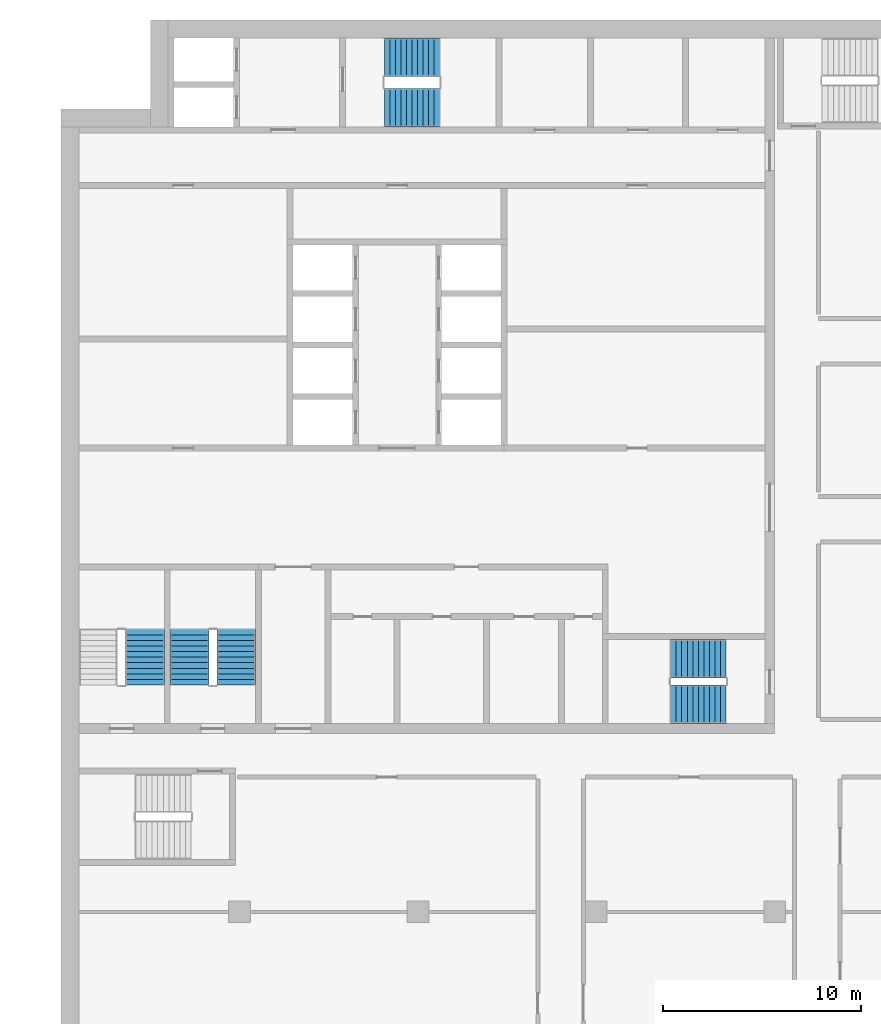
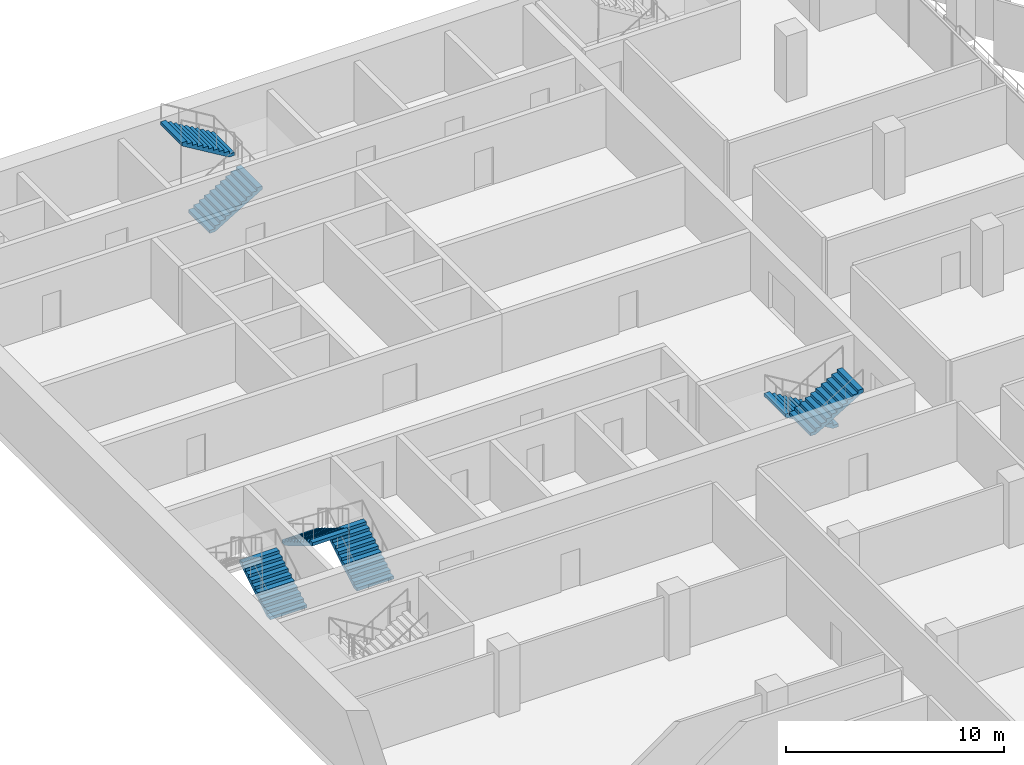
# One storey, part 12 of 17: 7 stair flights, 4 elements without a shape of their own.
"""IFC4 building model written with IfcOpenShell, lengths in metres."""

from ifc_helpers import new_model, si_unit, direction, frame, origin, place, context, subcontext, project, spatial, polyline, outline, extrude, material, type_object, element, aggregate, save


model = new_model("IFC4")

# Units and contexts
model_context = context("Model", 3, precision=1e-05, world=origin(), true_north=direction((0.0, 1.0)))
body_context = subcontext(model_context, "Body", "Model", "MODEL_VIEW")
ifc_project = project(units=[si_unit("LENGTHUNIT", "METRE"), si_unit("AREAUNIT", "SQUARE_METRE"), si_unit("VOLUMEUNIT", "CUBIC_METRE"), si_unit("PLANEANGLEUNIT", "RADIAN"), si_unit("MASSUNIT", "GRAM", prefix="KILO")], contexts=[model_context])

# Site, building, storey
site_placement = place(None, origin())
site = spatial("IfcSite", under=ifc_project, at=site_placement, CompositionType="ELEMENT")
building_placement = place(site_placement, origin())
building = spatial("IfcBuilding", under=site, at=building_placement, Name="Hunhe Ridgeline Campus", CompositionType="ELEMENT")
storey_placement = place(building_placement, frame((0.0, 0.0, 193.89990234375)))
storey = spatial("IfcBuildingStorey", under=building, at=storey_placement, Name="L49", CompositionType="ELEMENT", Elevation=193.89990234375)

# Stair, stair flights
ifc_material = material(Name="Concrete C40", Category="concrete")
stair_type = type_object("IfcStairType", Name="Reinforced concrete dog-leg stair 1950 Concrete C40", PredefinedType="HALF_TURN_STAIR", material=ifc_material)
stair_1_placement = place(storey_placement, origin())
stair_1 = element("IfcStair", 1, at=stair_1_placement, inside=storey, type_object=stair_type, Name="L49 S1", PredefinedType="HALF_TURN_STAIR")
stair_flight_type = type_object("IfcStairFlightType", Name="Reinforced concrete stair flight 1950 Concrete C40", PredefinedType="STRAIGHT", material=ifc_material)
stair_flight_1_placement = place(storey_placement, frame((16.300048828125, 94.574951171875, 0.0), z_axis=(0.0, 0.0, 1.0), x_axis=(1.0, 0.0, 0.0)))
stair_flight_1 = element("IfcStairFlight", 2, at=stair_flight_1_placement, type_object=stair_flight_type, Name="ST1 flight 1", NumberOfRisers=11, NumberOfTreads=10, PredefinedType="STRAIGHT", RiserHeight=0.168181818, TreadLength=0.28, context=body_context, shape_type="SweptSolid", body=[
    extrude(outline(polyline([(0.0, 0.0), (0.0, 0.168212890625), (0.280029296875, 0.168212890625), (0.280029296875, 0.33642578125), (0.56005859375, 0.33642578125), (0.56005859375, 0.504638671875), (0.840087890625, 0.504638671875), (0.840087890625, 0.672607421875), (1.1201171875, 0.672607421875), (1.1201171875, 0.8408203125), (1.39990234375, 0.8408203125), (1.39990234375, 1.009033203125), (1.679931640625, 1.009033203125), (1.679931640625, 1.17724609375), (1.9599609375, 1.17724609375), (1.9599609375, 1.345458984375), (2.239990234375, 1.345458984375), (2.239990234375, 1.513671875), (2.52001953125, 1.513671875), (2.52001953125, 1.681884765625), (2.800048828125, 1.681884765625), (2.800048828125, 1.85009765625), (2.800048828125, 1.5068359375), (0.291015625, 0.0), (0.0, 0.0)])), frame((0.0, 0.97509765625, 0.0), z_axis=(0.0, -1.0, 0.0), x_axis=(1.0, 0.0, 0.0)), (0.0, 0.0, 1.0), 1.949951171875),
    extrude(outline(polyline([(0.030029296875, 0.030029296875), (0.030029296875, 0.13818359375), (0.31005859375, 0.13818359375), (0.31005859375, 0.306396484375), (0.590087890625, 0.306396484375), (0.590087890625, 0.474609375), (0.8701171875, 0.474609375), (0.8701171875, 0.642578125), (1.14990234375, 0.642578125), (1.14990234375, 0.810791015625), (1.429931640625, 0.810791015625), (1.429931640625, 0.97900390625), (1.7099609375, 0.97900390625), (1.7099609375, 1.147216796875), (1.989990234375, 1.147216796875), (1.989990234375, 1.3154296875), (2.27001953125, 1.3154296875), (2.27001953125, 1.483642578125), (2.550048828125, 1.483642578125), (2.550048828125, 1.65185546875), (2.77001953125, 1.65185546875), (2.77001953125, 1.52392578125), (0.28271484375, 0.030029296875), (0.030029296875, 0.030029296875)])), frame((0.0, -0.070068359375, 0.0), z_axis=(0.0, -1.0, 0.0), x_axis=(1.0, 0.0, 0.0)), (0.0, 0.0, 1.0), 0.019775390625),
    extrude(outline(polyline([(0.030029296875, 0.030029296875), (0.030029296875, 0.13818359375), (0.31005859375, 0.13818359375), (0.31005859375, 0.306396484375), (0.590087890625, 0.306396484375), (0.590087890625, 0.474609375), (0.8701171875, 0.474609375), (0.8701171875, 0.642578125), (1.14990234375, 0.642578125), (1.14990234375, 0.810791015625), (1.429931640625, 0.810791015625), (1.429931640625, 0.97900390625), (1.7099609375, 0.97900390625), (1.7099609375, 1.147216796875), (1.989990234375, 1.147216796875), (1.989990234375, 1.3154296875), (2.27001953125, 1.3154296875), (2.27001953125, 1.483642578125), (2.550048828125, 1.483642578125), (2.550048828125, 1.65185546875), (2.77001953125, 1.65185546875), (2.77001953125, 1.52392578125), (0.28271484375, 0.030029296875), (0.030029296875, 0.030029296875)])), frame((0.0, 0.010009765625, 0.0), z_axis=(0.0, -1.0, 0.0), x_axis=(1.0, 0.0, 0.0)), (0.0, 0.0, 1.0), 0.019775390625),
    extrude(outline(polyline([(0.030029296875, 0.030029296875), (0.030029296875, 0.13818359375), (0.31005859375, 0.13818359375), (0.31005859375, 0.306396484375), (0.590087890625, 0.306396484375), (0.590087890625, 0.474609375), (0.8701171875, 0.474609375), (0.8701171875, 0.642578125), (1.14990234375, 0.642578125), (1.14990234375, 0.810791015625), (1.429931640625, 0.810791015625), (1.429931640625, 0.97900390625), (1.7099609375, 0.97900390625), (1.7099609375, 1.147216796875), (1.989990234375, 1.147216796875), (1.989990234375, 1.3154296875), (2.27001953125, 1.3154296875), (2.27001953125, 1.483642578125), (2.550048828125, 1.483642578125), (2.550048828125, 1.65185546875), (2.77001953125, 1.65185546875), (2.77001953125, 1.52392578125), (0.28271484375, 0.030029296875), (0.030029296875, 0.030029296875)])), frame((0.0, 0.090087890625, 0.0), z_axis=(0.0, -1.0, 0.0), x_axis=(1.0, 0.0, 0.0)), (0.0, 0.0, 1.0), 0.019775390625),
])
stair_flight_2_placement = place(storey_placement, frame((19.10009765625, 97.125, 1.85009765625), z_axis=(0.0, 0.0, 1.0), x_axis=(-1.0, 0.0, 0.0)))
stair_flight_2 = element("IfcStairFlight", 3, at=stair_flight_2_placement, type_object=stair_flight_type, Name="ST1 flight 2", NumberOfRisers=11, NumberOfTreads=10, PredefinedType="STRAIGHT", RiserHeight=0.168181818, TreadLength=0.28, context=body_context, shape_type="SweptSolid", body=[
    extrude(outline(polyline([(0.0, 0.0), (0.0, 0.168212890625), (0.280029296875, 0.168212890625), (0.280029296875, 0.33642578125), (0.56005859375, 0.33642578125), (0.56005859375, 0.504638671875), (0.840087890625, 0.504638671875), (0.840087890625, 0.672607421875), (1.1201171875, 0.672607421875), (1.1201171875, 0.8408203125), (1.39990234375, 0.8408203125), (1.39990234375, 1.009033203125), (1.679931640625, 1.009033203125), (1.679931640625, 1.17724609375), (1.9599609375, 1.17724609375), (1.9599609375, 1.345458984375), (2.239990234375, 1.345458984375), (2.239990234375, 1.513671875), (2.52001953125, 1.513671875), (2.52001953125, 1.681884765625), (2.800048828125, 1.681884765625), (2.800048828125, 1.85009765625), (2.800048828125, 1.5068359375), (0.291015625, 0.0), (0.0, 0.0)])), frame((0.0, 0.97509765625, 0.0), z_axis=(0.0, -1.0, 0.0), x_axis=(1.0, 0.0, 0.0)), (0.0, 0.0, 1.0), 1.949951171875),
    extrude(outline(polyline([(0.030029296875, 0.030029296875), (0.030029296875, 0.13818359375), (0.31005859375, 0.13818359375), (0.31005859375, 0.306396484375), (0.590087890625, 0.306396484375), (0.590087890625, 0.474609375), (0.8701171875, 0.474609375), (0.8701171875, 0.642578125), (1.14990234375, 0.642578125), (1.14990234375, 0.810791015625), (1.429931640625, 0.810791015625), (1.429931640625, 0.97900390625), (1.7099609375, 0.97900390625), (1.7099609375, 1.147216796875), (1.989990234375, 1.147216796875), (1.989990234375, 1.3154296875), (2.27001953125, 1.3154296875), (2.27001953125, 1.483642578125), (2.550048828125, 1.483642578125), (2.550048828125, 1.65185546875), (2.77001953125, 1.65185546875), (2.77001953125, 1.52392578125), (0.28271484375, 0.030029296875), (0.030029296875, 0.030029296875)])), frame((0.0, -0.070068359375, 0.0), z_axis=(0.0, -1.0, 0.0), x_axis=(1.0, 0.0, 0.0)), (0.0, 0.0, 1.0), 0.019775390625),
    extrude(outline(polyline([(0.030029296875, 0.030029296875), (0.030029296875, 0.13818359375), (0.31005859375, 0.13818359375), (0.31005859375, 0.306396484375), (0.590087890625, 0.306396484375), (0.590087890625, 0.474609375), (0.8701171875, 0.474609375), (0.8701171875, 0.642578125), (1.14990234375, 0.642578125), (1.14990234375, 0.810791015625), (1.429931640625, 0.810791015625), (1.429931640625, 0.97900390625), (1.7099609375, 0.97900390625), (1.7099609375, 1.147216796875), (1.989990234375, 1.147216796875), (1.989990234375, 1.3154296875), (2.27001953125, 1.3154296875), (2.27001953125, 1.483642578125), (2.550048828125, 1.483642578125), (2.550048828125, 1.65185546875), (2.77001953125, 1.65185546875), (2.77001953125, 1.52392578125), (0.28271484375, 0.030029296875), (0.030029296875, 0.030029296875)])), frame((0.0, 0.010009765625, 0.0), z_axis=(0.0, -1.0, 0.0), x_axis=(1.0, 0.0, 0.0)), (0.0, 0.0, 1.0), 0.019775390625),
    extrude(outline(polyline([(0.030029296875, 0.030029296875), (0.030029296875, 0.13818359375), (0.31005859375, 0.13818359375), (0.31005859375, 0.306396484375), (0.590087890625, 0.306396484375), (0.590087890625, 0.474609375), (0.8701171875, 0.474609375), (0.8701171875, 0.642578125), (1.14990234375, 0.642578125), (1.14990234375, 0.810791015625), (1.429931640625, 0.810791015625), (1.429931640625, 0.97900390625), (1.7099609375, 0.97900390625), (1.7099609375, 1.147216796875), (1.989990234375, 1.147216796875), (1.989990234375, 1.3154296875), (2.27001953125, 1.3154296875), (2.27001953125, 1.483642578125), (2.550048828125, 1.483642578125), (2.550048828125, 1.65185546875), (2.77001953125, 1.65185546875), (2.77001953125, 1.52392578125), (0.28271484375, 0.030029296875), (0.030029296875, 0.030029296875)])), frame((0.0, 0.090087890625, 0.0), z_axis=(0.0, -1.0, 0.0), x_axis=(1.0, 0.0, 0.0)), (0.0, 0.0, 1.0), 0.019775390625),
])
aggregate(stair_1, [stair_flight_1, stair_flight_2])

stair_2_placement = place(storey_placement, origin())
stair_2 = element("IfcStair", 4, at=stair_2_placement, inside=storey, type_object=stair_type, Name="L49 S2", PredefinedType="HALF_TURN_STAIR")
stair_flight_3_placement = place(storey_placement, frame((33.550048828125, 66.77490234375, 0.0), z_axis=(0.0, 0.0, 1.0), x_axis=(-1.0, 0.0, 0.0)))
stair_flight_3 = element("IfcStairFlight", 5, at=stair_flight_3_placement, type_object=stair_flight_type, Name="ST2 flight 1", NumberOfRisers=11, NumberOfTreads=10, PredefinedType="STRAIGHT", RiserHeight=0.168181818, TreadLength=0.28, context=body_context, shape_type="SweptSolid", body=[
    extrude(outline(polyline([(0.0, 0.0), (0.0, 0.168212890625), (0.280029296875, 0.168212890625), (0.280029296875, 0.33642578125), (0.56005859375, 0.33642578125), (0.56005859375, 0.504638671875), (0.840087890625, 0.504638671875), (0.840087890625, 0.672607421875), (1.1201171875, 0.672607421875), (1.1201171875, 0.8408203125), (1.39990234375, 0.8408203125), (1.39990234375, 1.009033203125), (1.679931640625, 1.009033203125), (1.679931640625, 1.17724609375), (1.9599609375, 1.17724609375), (1.9599609375, 1.345458984375), (2.239990234375, 1.345458984375), (2.239990234375, 1.513671875), (2.52001953125, 1.513671875), (2.52001953125, 1.681884765625), (2.800048828125, 1.681884765625), (2.800048828125, 1.85009765625), (2.800048828125, 1.5068359375), (0.291015625, 0.0), (0.0, 0.0)])), frame((0.0, 0.97509765625, 0.0), z_axis=(0.0, -1.0, 0.0), x_axis=(1.0, 0.0, 0.0)), (0.0, 0.0, 1.0), 1.949951171875),
    extrude(outline(polyline([(0.030029296875, 0.030029296875), (0.030029296875, 0.13818359375), (0.31005859375, 0.13818359375), (0.31005859375, 0.306396484375), (0.590087890625, 0.306396484375), (0.590087890625, 0.474609375), (0.8701171875, 0.474609375), (0.8701171875, 0.642578125), (1.14990234375, 0.642578125), (1.14990234375, 0.810791015625), (1.429931640625, 0.810791015625), (1.429931640625, 0.97900390625), (1.7099609375, 0.97900390625), (1.7099609375, 1.147216796875), (1.989990234375, 1.147216796875), (1.989990234375, 1.3154296875), (2.27001953125, 1.3154296875), (2.27001953125, 1.483642578125), (2.550048828125, 1.483642578125), (2.550048828125, 1.65185546875), (2.77001953125, 1.65185546875), (2.77001953125, 1.52392578125), (0.28271484375, 0.030029296875), (0.030029296875, 0.030029296875)])), frame((0.0, -0.070068359375, 0.0), z_axis=(0.0, -1.0, 0.0), x_axis=(1.0, 0.0, 0.0)), (0.0, 0.0, 1.0), 0.019775390625),
    extrude(outline(polyline([(0.030029296875, 0.030029296875), (0.030029296875, 0.13818359375), (0.31005859375, 0.13818359375), (0.31005859375, 0.306396484375), (0.590087890625, 0.306396484375), (0.590087890625, 0.474609375), (0.8701171875, 0.474609375), (0.8701171875, 0.642578125), (1.14990234375, 0.642578125), (1.14990234375, 0.810791015625), (1.429931640625, 0.810791015625), (1.429931640625, 0.97900390625), (1.7099609375, 0.97900390625), (1.7099609375, 1.147216796875), (1.989990234375, 1.147216796875), (1.989990234375, 1.3154296875), (2.27001953125, 1.3154296875), (2.27001953125, 1.483642578125), (2.550048828125, 1.483642578125), (2.550048828125, 1.65185546875), (2.77001953125, 1.65185546875), (2.77001953125, 1.52392578125), (0.28271484375, 0.030029296875), (0.030029296875, 0.030029296875)])), frame((0.0, 0.010009765625, 0.0), z_axis=(0.0, -1.0, 0.0), x_axis=(1.0, 0.0, 0.0)), (0.0, 0.0, 1.0), 0.019775390625),
    extrude(outline(polyline([(0.030029296875, 0.030029296875), (0.030029296875, 0.13818359375), (0.31005859375, 0.13818359375), (0.31005859375, 0.306396484375), (0.590087890625, 0.306396484375), (0.590087890625, 0.474609375), (0.8701171875, 0.474609375), (0.8701171875, 0.642578125), (1.14990234375, 0.642578125), (1.14990234375, 0.810791015625), (1.429931640625, 0.810791015625), (1.429931640625, 0.97900390625), (1.7099609375, 0.97900390625), (1.7099609375, 1.147216796875), (1.989990234375, 1.147216796875), (1.989990234375, 1.3154296875), (2.27001953125, 1.3154296875), (2.27001953125, 1.483642578125), (2.550048828125, 1.483642578125), (2.550048828125, 1.65185546875), (2.77001953125, 1.65185546875), (2.77001953125, 1.52392578125), (0.28271484375, 0.030029296875), (0.030029296875, 0.030029296875)])), frame((0.0, 0.090087890625, 0.0), z_axis=(0.0, -1.0, 0.0), x_axis=(1.0, 0.0, 0.0)), (0.0, 0.0, 1.0), 0.019775390625),
])
stair_flight_4_placement = place(storey_placement, frame((30.75, 64.47509765625, 1.85009765625), z_axis=(0.0, 0.0, 1.0), x_axis=(1.0, 0.0, 0.0)))
stair_flight_4 = element("IfcStairFlight", 6, at=stair_flight_4_placement, type_object=stair_flight_type, Name="ST2 flight 2", NumberOfRisers=11, NumberOfTreads=10, PredefinedType="STRAIGHT", RiserHeight=0.168181818, TreadLength=0.28, context=body_context, shape_type="SweptSolid", body=[
    extrude(outline(polyline([(0.0, 0.0), (0.0, 0.168212890625), (0.280029296875, 0.168212890625), (0.280029296875, 0.33642578125), (0.56005859375, 0.33642578125), (0.56005859375, 0.504638671875), (0.840087890625, 0.504638671875), (0.840087890625, 0.672607421875), (1.1201171875, 0.672607421875), (1.1201171875, 0.8408203125), (1.39990234375, 0.8408203125), (1.39990234375, 1.009033203125), (1.679931640625, 1.009033203125), (1.679931640625, 1.17724609375), (1.9599609375, 1.17724609375), (1.9599609375, 1.345458984375), (2.239990234375, 1.345458984375), (2.239990234375, 1.513671875), (2.52001953125, 1.513671875), (2.52001953125, 1.681884765625), (2.800048828125, 1.681884765625), (2.800048828125, 1.85009765625), (2.800048828125, 1.5068359375), (0.291015625, 0.0), (0.0, 0.0)])), frame((0.0, 0.97509765625, 0.0), z_axis=(0.0, -1.0, 0.0), x_axis=(1.0, 0.0, 0.0)), (0.0, 0.0, 1.0), 1.949951171875),
    extrude(outline(polyline([(0.030029296875, 0.030029296875), (0.030029296875, 0.13818359375), (0.31005859375, 0.13818359375), (0.31005859375, 0.306396484375), (0.590087890625, 0.306396484375), (0.590087890625, 0.474609375), (0.8701171875, 0.474609375), (0.8701171875, 0.642578125), (1.14990234375, 0.642578125), (1.14990234375, 0.810791015625), (1.429931640625, 0.810791015625), (1.429931640625, 0.97900390625), (1.7099609375, 0.97900390625), (1.7099609375, 1.147216796875), (1.989990234375, 1.147216796875), (1.989990234375, 1.3154296875), (2.27001953125, 1.3154296875), (2.27001953125, 1.483642578125), (2.550048828125, 1.483642578125), (2.550048828125, 1.65185546875), (2.77001953125, 1.65185546875), (2.77001953125, 1.52392578125), (0.28271484375, 0.030029296875), (0.030029296875, 0.030029296875)])), frame((0.0, -0.070068359375, 0.0), z_axis=(0.0, -1.0, 0.0), x_axis=(1.0, 0.0, 0.0)), (0.0, 0.0, 1.0), 0.019775390625),
    extrude(outline(polyline([(0.030029296875, 0.030029296875), (0.030029296875, 0.13818359375), (0.31005859375, 0.13818359375), (0.31005859375, 0.306396484375), (0.590087890625, 0.306396484375), (0.590087890625, 0.474609375), (0.8701171875, 0.474609375), (0.8701171875, 0.642578125), (1.14990234375, 0.642578125), (1.14990234375, 0.810791015625), (1.429931640625, 0.810791015625), (1.429931640625, 0.97900390625), (1.7099609375, 0.97900390625), (1.7099609375, 1.147216796875), (1.989990234375, 1.147216796875), (1.989990234375, 1.3154296875), (2.27001953125, 1.3154296875), (2.27001953125, 1.483642578125), (2.550048828125, 1.483642578125), (2.550048828125, 1.65185546875), (2.77001953125, 1.65185546875), (2.77001953125, 1.52392578125), (0.28271484375, 0.030029296875), (0.030029296875, 0.030029296875)])), frame((0.0, 0.010009765625, 0.0), z_axis=(0.0, -1.0, 0.0), x_axis=(1.0, 0.0, 0.0)), (0.0, 0.0, 1.0), 0.019775390625),
    extrude(outline(polyline([(0.030029296875, 0.030029296875), (0.030029296875, 0.13818359375), (0.31005859375, 0.13818359375), (0.31005859375, 0.306396484375), (0.590087890625, 0.306396484375), (0.590087890625, 0.474609375), (0.8701171875, 0.474609375), (0.8701171875, 0.642578125), (1.14990234375, 0.642578125), (1.14990234375, 0.810791015625), (1.429931640625, 0.810791015625), (1.429931640625, 0.97900390625), (1.7099609375, 0.97900390625), (1.7099609375, 1.147216796875), (1.989990234375, 1.147216796875), (1.989990234375, 1.3154296875), (2.27001953125, 1.3154296875), (2.27001953125, 1.483642578125), (2.550048828125, 1.483642578125), (2.550048828125, 1.65185546875), (2.77001953125, 1.65185546875), (2.77001953125, 1.52392578125), (0.28271484375, 0.030029296875), (0.030029296875, 0.030029296875)])), frame((0.0, 0.090087890625, 0.0), z_axis=(0.0, -1.0, 0.0), x_axis=(1.0, 0.0, 0.0)), (0.0, 0.0, 1.0), 0.019775390625),
])
aggregate(stair_2, [stair_flight_3, stair_flight_4])

# Stair, stair flight
stair_3_placement = place(storey_placement, origin())
stair_3 = element("IfcStair", 7, at=stair_3_placement, inside=storey, type_object=stair_type, Name="L49 S3", PredefinedType="HALF_TURN_STAIR")
stair_flight_5_placement = place(storey_placement, frame((4.22509765625, 65.449951171875, 0.0), z_axis=(0.0, 0.0, 1.0), x_axis=(0.0, 1.0, 0.0)))
stair_flight_5 = element("IfcStairFlight", 8, at=stair_flight_5_placement, type_object=stair_flight_type, Name="ST3 flight 1", NumberOfRisers=11, NumberOfTreads=10, PredefinedType="STRAIGHT", RiserHeight=0.168181818, TreadLength=0.28, context=body_context, shape_type="SweptSolid", body=[
    extrude(outline(polyline([(0.0, 0.0), (0.0, 0.168212890625), (0.280029296875, 0.168212890625), (0.280029296875, 0.33642578125), (0.56005859375, 0.33642578125), (0.56005859375, 0.504638671875), (0.840087890625, 0.504638671875), (0.840087890625, 0.672607421875), (1.1201171875, 0.672607421875), (1.1201171875, 0.8408203125), (1.39990234375, 0.8408203125), (1.39990234375, 1.009033203125), (1.679931640625, 1.009033203125), (1.679931640625, 1.17724609375), (1.9599609375, 1.17724609375), (1.9599609375, 1.345458984375), (2.239990234375, 1.345458984375), (2.239990234375, 1.513671875), (2.52001953125, 1.513671875), (2.52001953125, 1.681884765625), (2.800048828125, 1.681884765625), (2.800048828125, 1.85009765625), (2.800048828125, 1.5068359375), (0.291015625, 0.0), (0.0, 0.0)])), frame((0.0, 0.97509765625, 0.0), z_axis=(0.0, -1.0, 0.0), x_axis=(1.0, 0.0, 0.0)), (0.0, 0.0, 1.0), 1.949951171875),
    extrude(outline(polyline([(0.030029296875, 0.030029296875), (0.030029296875, 0.13818359375), (0.31005859375, 0.13818359375), (0.31005859375, 0.306396484375), (0.590087890625, 0.306396484375), (0.590087890625, 0.474609375), (0.8701171875, 0.474609375), (0.8701171875, 0.642578125), (1.14990234375, 0.642578125), (1.14990234375, 0.810791015625), (1.429931640625, 0.810791015625), (1.429931640625, 0.97900390625), (1.7099609375, 0.97900390625), (1.7099609375, 1.147216796875), (1.989990234375, 1.147216796875), (1.989990234375, 1.3154296875), (2.27001953125, 1.3154296875), (2.27001953125, 1.483642578125), (2.550048828125, 1.483642578125), (2.550048828125, 1.65185546875), (2.77001953125, 1.65185546875), (2.77001953125, 1.52392578125), (0.28271484375, 0.030029296875), (0.030029296875, 0.030029296875)])), frame((0.0, -0.070068359375, 0.0), z_axis=(0.0, -1.0, 0.0), x_axis=(1.0, 0.0, 0.0)), (0.0, 0.0, 1.0), 0.019775390625),
    extrude(outline(polyline([(0.030029296875, 0.030029296875), (0.030029296875, 0.13818359375), (0.31005859375, 0.13818359375), (0.31005859375, 0.306396484375), (0.590087890625, 0.306396484375), (0.590087890625, 0.474609375), (0.8701171875, 0.474609375), (0.8701171875, 0.642578125), (1.14990234375, 0.642578125), (1.14990234375, 0.810791015625), (1.429931640625, 0.810791015625), (1.429931640625, 0.97900390625), (1.7099609375, 0.97900390625), (1.7099609375, 1.147216796875), (1.989990234375, 1.147216796875), (1.989990234375, 1.3154296875), (2.27001953125, 1.3154296875), (2.27001953125, 1.483642578125), (2.550048828125, 1.483642578125), (2.550048828125, 1.65185546875), (2.77001953125, 1.65185546875), (2.77001953125, 1.52392578125), (0.28271484375, 0.030029296875), (0.030029296875, 0.030029296875)])), frame((0.0, 0.010009765625, 0.0), z_axis=(0.0, -1.0, 0.0), x_axis=(1.0, 0.0, 0.0)), (0.0, 0.0, 1.0), 0.019775390625),
    extrude(outline(polyline([(0.030029296875, 0.030029296875), (0.030029296875, 0.13818359375), (0.31005859375, 0.13818359375), (0.31005859375, 0.306396484375), (0.590087890625, 0.306396484375), (0.590087890625, 0.474609375), (0.8701171875, 0.474609375), (0.8701171875, 0.642578125), (1.14990234375, 0.642578125), (1.14990234375, 0.810791015625), (1.429931640625, 0.810791015625), (1.429931640625, 0.97900390625), (1.7099609375, 0.97900390625), (1.7099609375, 1.147216796875), (1.989990234375, 1.147216796875), (1.989990234375, 1.3154296875), (2.27001953125, 1.3154296875), (2.27001953125, 1.483642578125), (2.550048828125, 1.483642578125), (2.550048828125, 1.65185546875), (2.77001953125, 1.65185546875), (2.77001953125, 1.52392578125), (0.28271484375, 0.030029296875), (0.030029296875, 0.030029296875)])), frame((0.0, 0.090087890625, 0.0), z_axis=(0.0, -1.0, 0.0), x_axis=(1.0, 0.0, 0.0)), (0.0, 0.0, 1.0), 0.019775390625),
])
aggregate(stair_3, [stair_flight_5])

# Stair, stair flights
stair_4_placement = place(storey_placement, origin())
stair_4 = element("IfcStair", 9, at=stair_4_placement, inside=storey, type_object=stair_type, Name="L49 S4", PredefinedType="HALF_TURN_STAIR")
stair_flight_6_placement = place(storey_placement, frame((8.824951171875, 65.449951171875, 0.0), z_axis=(0.0, 0.0, 1.0), x_axis=(0.0, 1.0, 0.0)))
stair_flight_6 = element("IfcStairFlight", 10, at=stair_flight_6_placement, type_object=stair_flight_type, Name="ST4 flight 1", NumberOfRisers=11, NumberOfTreads=10, PredefinedType="STRAIGHT", RiserHeight=0.168181818, TreadLength=0.28, context=body_context, shape_type="SweptSolid", body=[
    extrude(outline(polyline([(0.0, 0.0), (0.0, 0.168212890625), (0.280029296875, 0.168212890625), (0.280029296875, 0.33642578125), (0.56005859375, 0.33642578125), (0.56005859375, 0.504638671875), (0.840087890625, 0.504638671875), (0.840087890625, 0.672607421875), (1.1201171875, 0.672607421875), (1.1201171875, 0.8408203125), (1.39990234375, 0.8408203125), (1.39990234375, 1.009033203125), (1.679931640625, 1.009033203125), (1.679931640625, 1.17724609375), (1.9599609375, 1.17724609375), (1.9599609375, 1.345458984375), (2.239990234375, 1.345458984375), (2.239990234375, 1.513671875), (2.52001953125, 1.513671875), (2.52001953125, 1.681884765625), (2.800048828125, 1.681884765625), (2.800048828125, 1.85009765625), (2.800048828125, 1.5068359375), (0.291015625, 0.0), (0.0, 0.0)])), frame((0.0, 0.97509765625, 0.0), z_axis=(0.0, -1.0, 0.0), x_axis=(1.0, 0.0, 0.0)), (0.0, 0.0, 1.0), 1.949951171875),
    extrude(outline(polyline([(0.030029296875, 0.030029296875), (0.030029296875, 0.13818359375), (0.31005859375, 0.13818359375), (0.31005859375, 0.306396484375), (0.590087890625, 0.306396484375), (0.590087890625, 0.474609375), (0.8701171875, 0.474609375), (0.8701171875, 0.642578125), (1.14990234375, 0.642578125), (1.14990234375, 0.810791015625), (1.429931640625, 0.810791015625), (1.429931640625, 0.97900390625), (1.7099609375, 0.97900390625), (1.7099609375, 1.147216796875), (1.989990234375, 1.147216796875), (1.989990234375, 1.3154296875), (2.27001953125, 1.3154296875), (2.27001953125, 1.483642578125), (2.550048828125, 1.483642578125), (2.550048828125, 1.65185546875), (2.77001953125, 1.65185546875), (2.77001953125, 1.52392578125), (0.28271484375, 0.030029296875), (0.030029296875, 0.030029296875)])), frame((0.0, -0.070068359375, 0.0), z_axis=(0.0, -1.0, 0.0), x_axis=(1.0, 0.0, 0.0)), (0.0, 0.0, 1.0), 0.019775390625),
    extrude(outline(polyline([(0.030029296875, 0.030029296875), (0.030029296875, 0.13818359375), (0.31005859375, 0.13818359375), (0.31005859375, 0.306396484375), (0.590087890625, 0.306396484375), (0.590087890625, 0.474609375), (0.8701171875, 0.474609375), (0.8701171875, 0.642578125), (1.14990234375, 0.642578125), (1.14990234375, 0.810791015625), (1.429931640625, 0.810791015625), (1.429931640625, 0.97900390625), (1.7099609375, 0.97900390625), (1.7099609375, 1.147216796875), (1.989990234375, 1.147216796875), (1.989990234375, 1.3154296875), (2.27001953125, 1.3154296875), (2.27001953125, 1.483642578125), (2.550048828125, 1.483642578125), (2.550048828125, 1.65185546875), (2.77001953125, 1.65185546875), (2.77001953125, 1.52392578125), (0.28271484375, 0.030029296875), (0.030029296875, 0.030029296875)])), frame((0.0, 0.010009765625, 0.0), z_axis=(0.0, -1.0, 0.0), x_axis=(1.0, 0.0, 0.0)), (0.0, 0.0, 1.0), 0.019775390625),
    extrude(outline(polyline([(0.030029296875, 0.030029296875), (0.030029296875, 0.13818359375), (0.31005859375, 0.13818359375), (0.31005859375, 0.306396484375), (0.590087890625, 0.306396484375), (0.590087890625, 0.474609375), (0.8701171875, 0.474609375), (0.8701171875, 0.642578125), (1.14990234375, 0.642578125), (1.14990234375, 0.810791015625), (1.429931640625, 0.810791015625), (1.429931640625, 0.97900390625), (1.7099609375, 0.97900390625), (1.7099609375, 1.147216796875), (1.989990234375, 1.147216796875), (1.989990234375, 1.3154296875), (2.27001953125, 1.3154296875), (2.27001953125, 1.483642578125), (2.550048828125, 1.483642578125), (2.550048828125, 1.65185546875), (2.77001953125, 1.65185546875), (2.77001953125, 1.52392578125), (0.28271484375, 0.030029296875), (0.030029296875, 0.030029296875)])), frame((0.0, 0.090087890625, 0.0), z_axis=(0.0, -1.0, 0.0), x_axis=(1.0, 0.0, 0.0)), (0.0, 0.0, 1.0), 0.019775390625),
])
stair_flight_7_placement = place(storey_placement, frame((6.47509765625, 68.25, 1.85009765625), z_axis=(0.0, 0.0, 1.0), x_axis=(0.0, -1.0, 0.0)))
stair_flight_7 = element("IfcStairFlight", 11, at=stair_flight_7_placement, type_object=stair_flight_type, Name="ST4 flight 2", NumberOfRisers=11, NumberOfTreads=10, PredefinedType="STRAIGHT", RiserHeight=0.168181818, TreadLength=0.28, context=body_context, shape_type="SweptSolid", body=[
    extrude(outline(polyline([(0.0, 0.0), (0.0, 0.168212890625), (0.280029296875, 0.168212890625), (0.280029296875, 0.33642578125), (0.56005859375, 0.33642578125), (0.56005859375, 0.504638671875), (0.840087890625, 0.504638671875), (0.840087890625, 0.672607421875), (1.1201171875, 0.672607421875), (1.1201171875, 0.8408203125), (1.39990234375, 0.8408203125), (1.39990234375, 1.009033203125), (1.679931640625, 1.009033203125), (1.679931640625, 1.17724609375), (1.9599609375, 1.17724609375), (1.9599609375, 1.345458984375), (2.239990234375, 1.345458984375), (2.239990234375, 1.513671875), (2.52001953125, 1.513671875), (2.52001953125, 1.681884765625), (2.800048828125, 1.681884765625), (2.800048828125, 1.85009765625), (2.800048828125, 1.5068359375), (0.291015625, 0.0), (0.0, 0.0)])), frame((0.0, 0.97509765625, 0.0), z_axis=(0.0, -1.0, 0.0), x_axis=(1.0, 0.0, 0.0)), (0.0, 0.0, 1.0), 1.949951171875),
    extrude(outline(polyline([(0.030029296875, 0.030029296875), (0.030029296875, 0.13818359375), (0.31005859375, 0.13818359375), (0.31005859375, 0.306396484375), (0.590087890625, 0.306396484375), (0.590087890625, 0.474609375), (0.8701171875, 0.474609375), (0.8701171875, 0.642578125), (1.14990234375, 0.642578125), (1.14990234375, 0.810791015625), (1.429931640625, 0.810791015625), (1.429931640625, 0.97900390625), (1.7099609375, 0.97900390625), (1.7099609375, 1.147216796875), (1.989990234375, 1.147216796875), (1.989990234375, 1.3154296875), (2.27001953125, 1.3154296875), (2.27001953125, 1.483642578125), (2.550048828125, 1.483642578125), (2.550048828125, 1.65185546875), (2.77001953125, 1.65185546875), (2.77001953125, 1.52392578125), (0.28271484375, 0.030029296875), (0.030029296875, 0.030029296875)])), frame((0.0, -0.070068359375, 0.0), z_axis=(0.0, -1.0, 0.0), x_axis=(1.0, 0.0, 0.0)), (0.0, 0.0, 1.0), 0.019775390625),
    extrude(outline(polyline([(0.030029296875, 0.030029296875), (0.030029296875, 0.13818359375), (0.31005859375, 0.13818359375), (0.31005859375, 0.306396484375), (0.590087890625, 0.306396484375), (0.590087890625, 0.474609375), (0.8701171875, 0.474609375), (0.8701171875, 0.642578125), (1.14990234375, 0.642578125), (1.14990234375, 0.810791015625), (1.429931640625, 0.810791015625), (1.429931640625, 0.97900390625), (1.7099609375, 0.97900390625), (1.7099609375, 1.147216796875), (1.989990234375, 1.147216796875), (1.989990234375, 1.3154296875), (2.27001953125, 1.3154296875), (2.27001953125, 1.483642578125), (2.550048828125, 1.483642578125), (2.550048828125, 1.65185546875), (2.77001953125, 1.65185546875), (2.77001953125, 1.52392578125), (0.28271484375, 0.030029296875), (0.030029296875, 0.030029296875)])), frame((0.0, 0.010009765625, 0.0), z_axis=(0.0, -1.0, 0.0), x_axis=(1.0, 0.0, 0.0)), (0.0, 0.0, 1.0), 0.019775390625),
    extrude(outline(polyline([(0.030029296875, 0.030029296875), (0.030029296875, 0.13818359375), (0.31005859375, 0.13818359375), (0.31005859375, 0.306396484375), (0.590087890625, 0.306396484375), (0.590087890625, 0.474609375), (0.8701171875, 0.474609375), (0.8701171875, 0.642578125), (1.14990234375, 0.642578125), (1.14990234375, 0.810791015625), (1.429931640625, 0.810791015625), (1.429931640625, 0.97900390625), (1.7099609375, 0.97900390625), (1.7099609375, 1.147216796875), (1.989990234375, 1.147216796875), (1.989990234375, 1.3154296875), (2.27001953125, 1.3154296875), (2.27001953125, 1.483642578125), (2.550048828125, 1.483642578125), (2.550048828125, 1.65185546875), (2.77001953125, 1.65185546875), (2.77001953125, 1.52392578125), (0.28271484375, 0.030029296875), (0.030029296875, 0.030029296875)])), frame((0.0, 0.090087890625, 0.0), z_axis=(0.0, -1.0, 0.0), x_axis=(1.0, 0.0, 0.0)), (0.0, 0.0, 1.0), 0.019775390625),
])
aggregate(stair_4, [stair_flight_6, stair_flight_7])

save(model, "model.ifc")
